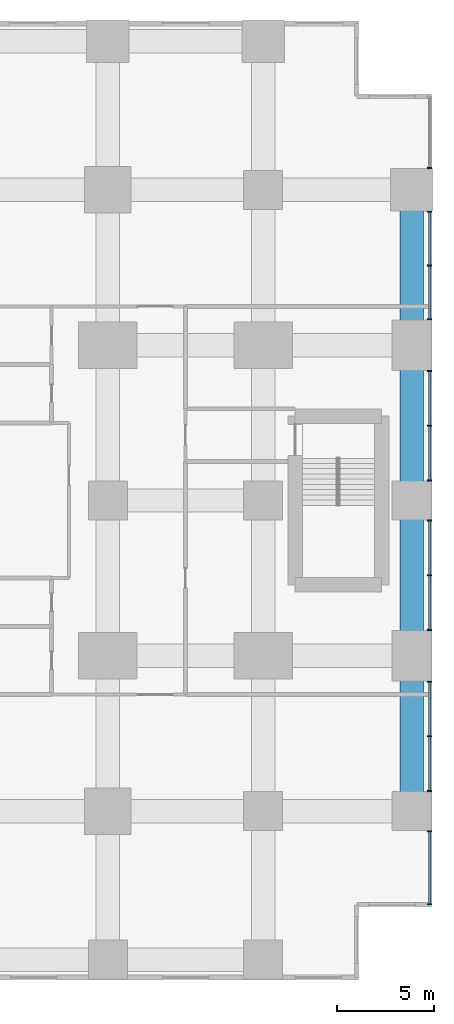
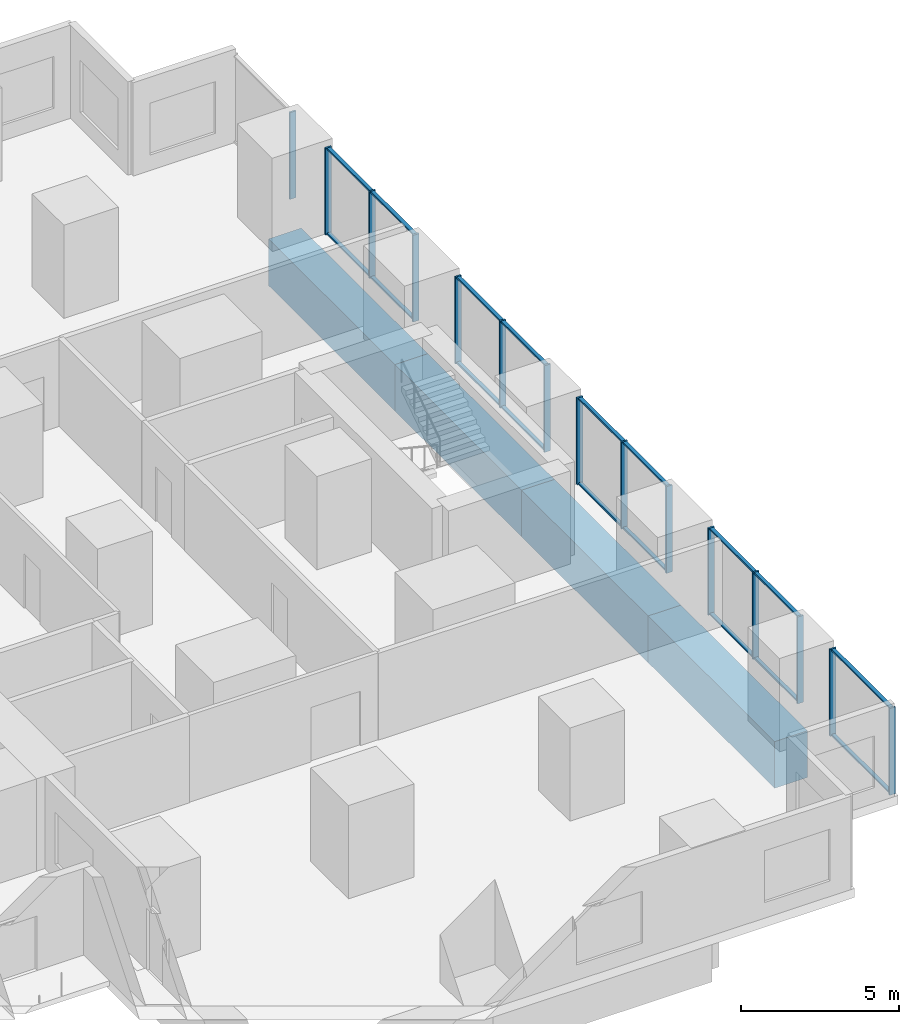
# One storey, part 7 of 15: 33 members, 4 beams, 6 elements without a shape of their own.
"""IFC4 building model written with IfcOpenShell, lengths in metres."""

from ifc_helpers import new_model, si_unit, direction, frame, origin, origin_2d, place, context, subcontext, project, spatial, rectangle, extrude, material, layer, layer_set, material_profile, profile_set, type_object, element, aggregate, save


model = new_model("IFC4")

# Units and contexts
model_context = context("Model", 3, precision=1e-05, world=origin(), true_north=direction((0.0, 1.0)))
body_context = subcontext(model_context, "Body", "Model", "MODEL_VIEW")
ifc_project = project(units=[si_unit("LENGTHUNIT", "METRE"), si_unit("AREAUNIT", "SQUARE_METRE"), si_unit("VOLUMEUNIT", "CUBIC_METRE"), si_unit("PLANEANGLEUNIT", "RADIAN"), si_unit("MASSUNIT", "GRAM", prefix="KILO")], contexts=[model_context])

# Site, building, storey
site_placement = place(None, origin())
site = spatial("IfcSite", under=ifc_project, at=site_placement, CompositionType="ELEMENT")
building_placement = place(site_placement, origin())
building = spatial("IfcBuilding", under=site, at=building_placement, Name="Cleftline Residences", CompositionType="ELEMENT")
storey_placement = place(building_placement, frame((0.0, 0.0, 26.0)))
storey = spatial("IfcBuildingStorey", under=building, at=storey_placement, Name="L05", CompositionType="ELEMENT", Elevation=26.0)

# Beams
ifc_material_1 = material(Name="Concrete B45", Category="concrete")
ifc_material_profile_1 = material_profile(ifc_material_1, rectangle(XDim=1.199951171875, YDim=1.800048828125, at=origin_2d()))
ifc_profile_set_1 = profile_set([ifc_material_profile_1], Name="Concrete B45")
beam_type = type_object("IfcBeamType", Name="BEAM RC1200X1800", PredefinedType="BEAM", material=ifc_profile_set_1)
for number, where, z_axis, x_axis, name in (
    (1, (65.64990234375, 8.0, -1.25), (0.0, 1.0, 0.0), (-1.0, 0.0, 0.0), "Podium beam"),
    (2, (65.64990234375, 16.0, -1.25), (0.0, 1.0, 0.0), (-1.0, 0.0, 0.0), "Podium beam"),
    (3, (65.64990234375, 24.0, -1.25), (0.0, 1.0, 0.0), (-1.0, 0.0, 0.0), "Podium beam"),
    (4, (65.64990234375, 32.0, -1.25), (0.0, 1.0, 0.0), (-1.0, 0.0, 0.0), "Podium beam"),
):
    element("IfcBeam", number, at=place(storey_placement, frame(where, z_axis=z_axis, x_axis=x_axis)), inside=storey, type_object=beam_type, Name=name, PredefinedType="BEAM", context=body_context, shape_type="SweptSolid", body=[
        extrude(rectangle(XDim=1.199951171875, YDim=1.800048828125, at=origin_2d()), origin(), (0.0, 0.0, 1.0), 8.0),
    ])

# Curtain wall, members
ifc_material_2 = material(Name="Aluminium framed curtain wall", Category="aluminium")
ifc_layer = layer(ifc_material_2, 0.199951171875)
ifc_layer_set = layer_set([ifc_layer], Name="CW4 SKY LOUNGE GLAZING")
curtain_wall_type = type_object("IfcCurtainWallType", Name="CW4 SKY LOUNGE GLAZING", PredefinedType="NOTDEFINED", material=ifc_layer_set)
curtain_wall_1_placement = place(storey_placement, origin())
curtain_wall_1 = element("IfcCurtainWall", 5, at=curtain_wall_1_placement, inside=storey, type_object=curtain_wall_type, Name="Curtain wall CW4", PredefinedType="NOTDEFINED")
ifc_material_3 = material(Name="Aluminium mullion", Category="aluminium")
ifc_material_profile_2 = material_profile(ifc_material_3, rectangle(XDim=0.219970703125, YDim=0.06494140625, at=origin_2d()))
ifc_profile_set_2 = profile_set([ifc_material_profile_2], Name="Aluminium mullion")
member_type_1 = type_object("IfcMemberType", Name="CW4 MULLION", PredefinedType="MULLION", material=ifc_profile_set_2)
member_1_placement = place(storey_placement, frame((66.574951171875, 3.20751953125, 0.0), z_axis=(0.0, 0.0, 1.0), x_axis=(-1.0, 0.0, 0.0)))
member_1 = element("IfcMember", 6, at=member_1_placement, type_object=member_type_1, Name="CW4 mullion 1", PredefinedType="MULLION", context=body_context, shape_type="SweptSolid", body=[
    extrude(rectangle(XDim=0.219970703125, YDim=0.06494140625, at=origin_2d()), origin(), (0.0, 0.0, 1.0), 3.35009765625),
])
member_2_placement = place(storey_placement, frame((66.574951171875, 6.967529296875, 0.0), z_axis=(0.0, 0.0, 1.0), x_axis=(-1.0, 0.0, 0.0)))
member_2 = element("IfcMember", 7, at=member_2_placement, type_object=member_type_1, Name="CW4 mullion 2", PredefinedType="MULLION", context=body_context, shape_type="SweptSolid", body=[
    extrude(rectangle(XDim=0.219970703125, YDim=0.06494140625, at=origin_2d()), origin(), (0.0, 0.0, 1.0), 3.35009765625),
])

curtain_wall_2_placement = place(storey_placement, origin())
curtain_wall_2 = element("IfcCurtainWall", 8, at=curtain_wall_2_placement, inside=storey, type_object=curtain_wall_type, Name="Curtain wall CW4", PredefinedType="NOTDEFINED")
member_3_placement = place(storey_placement, frame((66.574951171875, 9.032470703125, 0.0), z_axis=(0.0, 0.0, 1.0), x_axis=(-1.0, 0.0, 0.0)))
member_3 = element("IfcMember", 9, at=member_3_placement, type_object=member_type_1, Name="CW4 mullion 1", PredefinedType="MULLION", context=body_context, shape_type="SweptSolid", body=[
    extrude(rectangle(XDim=0.219970703125, YDim=0.06494140625, at=origin_2d()), origin(), (0.0, 0.0, 1.0), 3.35009765625),
])
member_4_placement = place(storey_placement, frame((66.574951171875, 11.85009765625, 0.0), z_axis=(0.0, 0.0, 1.0), x_axis=(-1.0, 0.0, 0.0)))
member_4 = element("IfcMember", 10, at=member_4_placement, type_object=member_type_1, Name="CW4 mullion 2", PredefinedType="MULLION", context=body_context, shape_type="SweptSolid", body=[
    extrude(rectangle(XDim=0.219970703125, YDim=0.06494140625, at=origin_2d()), origin(), (0.0, 0.0, 1.0), 3.35009765625),
])
member_5_placement = place(storey_placement, frame((66.574951171875, 14.66748046875, 0.0), z_axis=(0.0, 0.0, 1.0), x_axis=(-1.0, 0.0, 0.0)))
member_5 = element("IfcMember", 11, at=member_5_placement, type_object=member_type_1, Name="CW4 mullion 3", PredefinedType="MULLION", context=body_context, shape_type="SweptSolid", body=[
    extrude(rectangle(XDim=0.219970703125, YDim=0.06494140625, at=origin_2d()), origin(), (0.0, 0.0, 1.0), 3.35009765625),
])

curtain_wall_3_placement = place(storey_placement, origin())
curtain_wall_3 = element("IfcCurtainWall", 12, at=curtain_wall_3_placement, inside=storey, type_object=curtain_wall_type, Name="Curtain wall CW4", PredefinedType="NOTDEFINED")
member_6_placement = place(storey_placement, frame((66.574951171875, 17.33251953125, 0.0), z_axis=(0.0, 0.0, 1.0), x_axis=(-1.0, 0.0, 0.0)))
member_6 = element("IfcMember", 13, at=member_6_placement, type_object=member_type_1, Name="CW4 mullion 1", PredefinedType="MULLION", context=body_context, shape_type="SweptSolid", body=[
    extrude(rectangle(XDim=0.219970703125, YDim=0.06494140625, at=origin_2d()), origin(), (0.0, 0.0, 1.0), 3.35009765625),
])
member_7_placement = place(storey_placement, frame((66.574951171875, 20.14990234375, 0.0), z_axis=(0.0, 0.0, 1.0), x_axis=(-1.0, 0.0, 0.0)))
member_7 = element("IfcMember", 14, at=member_7_placement, type_object=member_type_1, Name="CW4 mullion 2", PredefinedType="MULLION", context=body_context, shape_type="SweptSolid", body=[
    extrude(rectangle(XDim=0.219970703125, YDim=0.06494140625, at=origin_2d()), origin(), (0.0, 0.0, 1.0), 3.35009765625),
])
member_8_placement = place(storey_placement, frame((66.574951171875, 22.967529296875, 0.0), z_axis=(0.0, 0.0, 1.0), x_axis=(-1.0, 0.0, 0.0)))
member_8 = element("IfcMember", 15, at=member_8_placement, type_object=member_type_1, Name="CW4 mullion 3", PredefinedType="MULLION", context=body_context, shape_type="SweptSolid", body=[
    extrude(rectangle(XDim=0.219970703125, YDim=0.06494140625, at=origin_2d()), origin(), (0.0, 0.0, 1.0), 3.35009765625),
])

curtain_wall_4_placement = place(storey_placement, origin())
curtain_wall_4 = element("IfcCurtainWall", 16, at=curtain_wall_4_placement, inside=storey, type_object=curtain_wall_type, Name="Curtain wall CW4", PredefinedType="NOTDEFINED")
member_9_placement = place(storey_placement, frame((66.574951171875, 25.032470703125, 0.0), z_axis=(0.0, 0.0, 1.0), x_axis=(-1.0, 0.0, 0.0)))
member_9 = element("IfcMember", 17, at=member_9_placement, type_object=member_type_1, Name="CW4 mullion 1", PredefinedType="MULLION", context=body_context, shape_type="SweptSolid", body=[
    extrude(rectangle(XDim=0.219970703125, YDim=0.06494140625, at=origin_2d()), origin(), (0.0, 0.0, 1.0), 3.35009765625),
])
member_10_placement = place(storey_placement, frame((66.574951171875, 27.85009765625, 0.0), z_axis=(0.0, 0.0, 1.0), x_axis=(-1.0, 0.0, 0.0)))
member_10 = element("IfcMember", 18, at=member_10_placement, type_object=member_type_1, Name="CW4 mullion 2", PredefinedType="MULLION", context=body_context, shape_type="SweptSolid", body=[
    extrude(rectangle(XDim=0.219970703125, YDim=0.06494140625, at=origin_2d()), origin(), (0.0, 0.0, 1.0), 3.35009765625),
])
member_11_placement = place(storey_placement, frame((66.574951171875, 30.66748046875, 0.0), z_axis=(0.0, 0.0, 1.0), x_axis=(-1.0, 0.0, 0.0)))
member_11 = element("IfcMember", 19, at=member_11_placement, type_object=member_type_1, Name="CW4 mullion 3", PredefinedType="MULLION", context=body_context, shape_type="SweptSolid", body=[
    extrude(rectangle(XDim=0.219970703125, YDim=0.06494140625, at=origin_2d()), origin(), (0.0, 0.0, 1.0), 3.35009765625),
])

curtain_wall_5_placement = place(storey_placement, origin())
curtain_wall_5 = element("IfcCurtainWall", 20, at=curtain_wall_5_placement, inside=storey, type_object=curtain_wall_type, Name="Curtain wall CW4", PredefinedType="NOTDEFINED")
member_12_placement = place(storey_placement, frame((66.574951171875, 33.33251953125, 0.0), z_axis=(0.0, 0.0, 1.0), x_axis=(-1.0, 0.0, 0.0)))
member_12 = element("IfcMember", 21, at=member_12_placement, type_object=member_type_1, Name="CW4 mullion 1", PredefinedType="MULLION", context=body_context, shape_type="SweptSolid", body=[
    extrude(rectangle(XDim=0.219970703125, YDim=0.06494140625, at=origin_2d()), origin(), (0.0, 0.0, 1.0), 3.35009765625),
])
member_13_placement = place(storey_placement, frame((66.574951171875, 36.10009765625, 0.0), z_axis=(0.0, 0.0, 1.0), x_axis=(-1.0, 0.0, 0.0)))
member_13 = element("IfcMember", 22, at=member_13_placement, type_object=member_type_1, Name="CW4 mullion 2", PredefinedType="MULLION", context=body_context, shape_type="SweptSolid", body=[
    extrude(rectangle(XDim=0.219970703125, YDim=0.06494140625, at=origin_2d()), origin(), (0.0, 0.0, 1.0), 3.35009765625),
])
member_14_placement = place(storey_placement, frame((66.574951171875, 38.867431640625, 0.0), z_axis=(0.0, 0.0, 1.0), x_axis=(-1.0, 0.0, 0.0)))
member_14 = element("IfcMember", 23, at=member_14_placement, type_object=member_type_1, Name="CW4 mullion 3", PredefinedType="MULLION", context=body_context, shape_type="SweptSolid", body=[
    extrude(rectangle(XDim=0.219970703125, YDim=0.06494140625, at=origin_2d()), origin(), (0.0, 0.0, 1.0), 3.35009765625),
])

# Curtain wall, member
curtain_wall_6_placement = place(storey_placement, origin())
curtain_wall_6 = element("IfcCurtainWall", 24, at=curtain_wall_6_placement, inside=storey, type_object=curtain_wall_type, Name="Curtain wall CW4", PredefinedType="NOTDEFINED")
member_15_placement = place(storey_placement, frame((66.574951171875, 41.132568359375, 0.0), z_axis=(0.0, 0.0, 1.0), x_axis=(-1.0, 0.0, 0.0)))
member_15 = element("IfcMember", 25, at=member_15_placement, type_object=member_type_1, Name="CW4 mullion 1", PredefinedType="MULLION", context=body_context, shape_type="SweptSolid", body=[
    extrude(rectangle(XDim=0.219970703125, YDim=0.06494140625, at=origin_2d()), origin(), (0.0, 0.0, 1.0), 3.35009765625),
])
aggregate(curtain_wall_6, [member_15])

# Member
ifc_material_4 = material(Name="Aluminium transom", Category="aluminium")
ifc_material_profile_3 = material_profile(ifc_material_4, rectangle(XDim=0.132080078125, YDim=0.06494140625, at=origin_2d()))
ifc_profile_set_3 = profile_set([ifc_material_profile_3], Name="Aluminium transom")
member_type_2 = type_object("IfcMemberType", Name="CW4 TRANSOM", PredefinedType="USERDEFINED", material=ifc_profile_set_3)
member_16_placement = place(storey_placement, frame((66.574951171875, 3.239990234375, 0.032470703125), z_axis=(0.0, 1.0, 0.0), x_axis=(-1.0, 0.0, 0.0)))
member_16 = element("IfcMember", 26, at=member_16_placement, type_object=member_type_2, Name="CW4 transom 1.1", ObjectType="TRANSOM", PredefinedType="USERDEFINED", context=body_context, shape_type="SweptSolid", body=[
    extrude(rectangle(XDim=0.132080078125, YDim=0.06494140625, at=origin_2d()), origin(), (0.0, 0.0, 1.0), 3.695068359375),
])

member_17_placement = place(storey_placement, frame((66.574951171875, 3.239990234375, 3.3173828125), z_axis=(0.0, 1.0, 0.0), x_axis=(-1.0, 0.0, 0.0)))
member_17 = element("IfcMember", 27, at=member_17_placement, type_object=member_type_2, Name="CW4 transom 1.2", ObjectType="TRANSOM", PredefinedType="USERDEFINED", context=body_context, shape_type="SweptSolid", body=[
    extrude(rectangle(XDim=0.132080078125, YDim=0.06494140625, at=origin_2d()), origin(), (0.0, 0.0, 1.0), 3.695068359375),
])

aggregate(curtain_wall_1, [member_1, member_2, member_16, member_17])

member_18_placement = place(storey_placement, frame((66.574951171875, 9.06494140625, 0.032470703125), z_axis=(0.0, 1.0, 0.0), x_axis=(-1.0, 0.0, 0.0)))
member_18 = element("IfcMember", 28, at=member_18_placement, type_object=member_type_2, Name="CW4 transom 1.1", ObjectType="TRANSOM", PredefinedType="USERDEFINED", context=body_context, shape_type="SweptSolid", body=[
    extrude(rectangle(XDim=0.132080078125, YDim=0.06494140625, at=origin_2d()), origin(), (0.0, 0.0, 1.0), 2.75244140625),
])

member_19_placement = place(storey_placement, frame((66.574951171875, 9.06494140625, 3.3173828125), z_axis=(0.0, 1.0, 0.0), x_axis=(-1.0, 0.0, 0.0)))
member_19 = element("IfcMember", 29, at=member_19_placement, type_object=member_type_2, Name="CW4 transom 1.2", ObjectType="TRANSOM", PredefinedType="USERDEFINED", context=body_context, shape_type="SweptSolid", body=[
    extrude(rectangle(XDim=0.132080078125, YDim=0.06494140625, at=origin_2d()), origin(), (0.0, 0.0, 1.0), 2.75244140625),
])

member_20_placement = place(storey_placement, frame((66.574951171875, 11.882568359375, 0.032470703125), z_axis=(0.0, 1.0, 0.0), x_axis=(-1.0, 0.0, 0.0)))
member_20 = element("IfcMember", 30, at=member_20_placement, type_object=member_type_2, Name="CW4 transom 2.1", ObjectType="TRANSOM", PredefinedType="USERDEFINED", context=body_context, shape_type="SweptSolid", body=[
    extrude(rectangle(XDim=0.132080078125, YDim=0.06494140625, at=origin_2d()), origin(), (0.0, 0.0, 1.0), 2.75244140625),
])

member_21_placement = place(storey_placement, frame((66.574951171875, 11.882568359375, 3.3173828125), z_axis=(0.0, 1.0, 0.0), x_axis=(-1.0, 0.0, 0.0)))
member_21 = element("IfcMember", 31, at=member_21_placement, type_object=member_type_2, Name="CW4 transom 2.2", ObjectType="TRANSOM", PredefinedType="USERDEFINED", context=body_context, shape_type="SweptSolid", body=[
    extrude(rectangle(XDim=0.132080078125, YDim=0.06494140625, at=origin_2d()), origin(), (0.0, 0.0, 1.0), 2.75244140625),
])

aggregate(curtain_wall_2, [member_3, member_4, member_5, member_18, member_19, member_20, member_21])

member_22_placement = place(storey_placement, frame((66.574951171875, 17.364990234375, 0.032470703125), z_axis=(0.0, 1.0, 0.0), x_axis=(-1.0, 0.0, 0.0)))
member_22 = element("IfcMember", 32, at=member_22_placement, type_object=member_type_2, Name="CW4 transom 1.1", ObjectType="TRANSOM", PredefinedType="USERDEFINED", context=body_context, shape_type="SweptSolid", body=[
    extrude(rectangle(XDim=0.132080078125, YDim=0.06494140625, at=origin_2d()), origin(), (0.0, 0.0, 1.0), 2.75244140625),
])

member_23_placement = place(storey_placement, frame((66.574951171875, 17.364990234375, 3.3173828125), z_axis=(0.0, 1.0, 0.0), x_axis=(-1.0, 0.0, 0.0)))
member_23 = element("IfcMember", 33, at=member_23_placement, type_object=member_type_2, Name="CW4 transom 1.2", ObjectType="TRANSOM", PredefinedType="USERDEFINED", context=body_context, shape_type="SweptSolid", body=[
    extrude(rectangle(XDim=0.132080078125, YDim=0.06494140625, at=origin_2d()), origin(), (0.0, 0.0, 1.0), 2.75244140625),
])

member_24_placement = place(storey_placement, frame((66.574951171875, 20.1826171875, 0.032470703125), z_axis=(0.0, 1.0, 0.0), x_axis=(-1.0, 0.0, 0.0)))
member_24 = element("IfcMember", 34, at=member_24_placement, type_object=member_type_2, Name="CW4 transom 2.1", ObjectType="TRANSOM", PredefinedType="USERDEFINED", context=body_context, shape_type="SweptSolid", body=[
    extrude(rectangle(XDim=0.132080078125, YDim=0.06494140625, at=origin_2d()), origin(), (0.0, 0.0, 1.0), 2.75244140625),
])

member_25_placement = place(storey_placement, frame((66.574951171875, 20.1826171875, 3.3173828125), z_axis=(0.0, 1.0, 0.0), x_axis=(-1.0, 0.0, 0.0)))
member_25 = element("IfcMember", 35, at=member_25_placement, type_object=member_type_2, Name="CW4 transom 2.2", ObjectType="TRANSOM", PredefinedType="USERDEFINED", context=body_context, shape_type="SweptSolid", body=[
    extrude(rectangle(XDim=0.132080078125, YDim=0.06494140625, at=origin_2d()), origin(), (0.0, 0.0, 1.0), 2.75244140625),
])

aggregate(curtain_wall_3, [member_6, member_7, member_8, member_22, member_23, member_24, member_25])

member_26_placement = place(storey_placement, frame((66.574951171875, 25.06494140625, 0.032470703125), z_axis=(0.0, 1.0, 0.0), x_axis=(-1.0, 0.0, 0.0)))
member_26 = element("IfcMember", 36, at=member_26_placement, type_object=member_type_2, Name="CW4 transom 1.1", ObjectType="TRANSOM", PredefinedType="USERDEFINED", context=body_context, shape_type="SweptSolid", body=[
    extrude(rectangle(XDim=0.132080078125, YDim=0.06494140625, at=origin_2d()), origin(), (0.0, 0.0, 1.0), 2.75244140625),
])

member_27_placement = place(storey_placement, frame((66.574951171875, 25.06494140625, 3.3173828125), z_axis=(0.0, 1.0, 0.0), x_axis=(-1.0, 0.0, 0.0)))
member_27 = element("IfcMember", 37, at=member_27_placement, type_object=member_type_2, Name="CW4 transom 1.2", ObjectType="TRANSOM", PredefinedType="USERDEFINED", context=body_context, shape_type="SweptSolid", body=[
    extrude(rectangle(XDim=0.132080078125, YDim=0.06494140625, at=origin_2d()), origin(), (0.0, 0.0, 1.0), 2.75244140625),
])

member_28_placement = place(storey_placement, frame((66.574951171875, 27.882568359375, 0.032470703125), z_axis=(0.0, 1.0, 0.0), x_axis=(-1.0, 0.0, 0.0)))
member_28 = element("IfcMember", 38, at=member_28_placement, type_object=member_type_2, Name="CW4 transom 2.1", ObjectType="TRANSOM", PredefinedType="USERDEFINED", context=body_context, shape_type="SweptSolid", body=[
    extrude(rectangle(XDim=0.132080078125, YDim=0.06494140625, at=origin_2d()), origin(), (0.0, 0.0, 1.0), 2.75244140625),
])

member_29_placement = place(storey_placement, frame((66.574951171875, 27.882568359375, 3.3173828125), z_axis=(0.0, 1.0, 0.0), x_axis=(-1.0, 0.0, 0.0)))
member_29 = element("IfcMember", 39, at=member_29_placement, type_object=member_type_2, Name="CW4 transom 2.2", ObjectType="TRANSOM", PredefinedType="USERDEFINED", context=body_context, shape_type="SweptSolid", body=[
    extrude(rectangle(XDim=0.132080078125, YDim=0.06494140625, at=origin_2d()), origin(), (0.0, 0.0, 1.0), 2.75244140625),
])

aggregate(curtain_wall_4, [member_9, member_10, member_11, member_26, member_27, member_28, member_29])

member_30_placement = place(storey_placement, frame((66.574951171875, 33.364990234375, 0.032470703125), z_axis=(0.0, 1.0, 0.0), x_axis=(-1.0, 0.0, 0.0)))
member_30 = element("IfcMember", 40, at=member_30_placement, type_object=member_type_2, Name="CW4 transom 1.1", ObjectType="TRANSOM", PredefinedType="USERDEFINED", context=body_context, shape_type="SweptSolid", body=[
    extrude(rectangle(XDim=0.132080078125, YDim=0.06494140625, at=origin_2d()), origin(), (0.0, 0.0, 1.0), 2.702392578125),
])

member_31_placement = place(storey_placement, frame((66.574951171875, 33.364990234375, 3.3173828125), z_axis=(0.0, 1.0, 0.0), x_axis=(-1.0, 0.0, 0.0)))
member_31 = element("IfcMember", 41, at=member_31_placement, type_object=member_type_2, Name="CW4 transom 1.2", ObjectType="TRANSOM", PredefinedType="USERDEFINED", context=body_context, shape_type="SweptSolid", body=[
    extrude(rectangle(XDim=0.132080078125, YDim=0.06494140625, at=origin_2d()), origin(), (0.0, 0.0, 1.0), 2.702392578125),
])

member_32_placement = place(storey_placement, frame((66.574951171875, 36.132568359375, 0.032470703125), z_axis=(0.0, 1.0, 0.0), x_axis=(-1.0, 0.0, 0.0)))
member_32 = element("IfcMember", 42, at=member_32_placement, type_object=member_type_2, Name="CW4 transom 2.1", ObjectType="TRANSOM", PredefinedType="USERDEFINED", context=body_context, shape_type="SweptSolid", body=[
    extrude(rectangle(XDim=0.132080078125, YDim=0.06494140625, at=origin_2d()), origin(), (0.0, 0.0, 1.0), 2.702392578125),
])

member_33_placement = place(storey_placement, frame((66.574951171875, 36.132568359375, 3.3173828125), z_axis=(0.0, 1.0, 0.0), x_axis=(-1.0, 0.0, 0.0)))
member_33 = element("IfcMember", 43, at=member_33_placement, type_object=member_type_2, Name="CW4 transom 2.2", ObjectType="TRANSOM", PredefinedType="USERDEFINED", context=body_context, shape_type="SweptSolid", body=[
    extrude(rectangle(XDim=0.132080078125, YDim=0.06494140625, at=origin_2d()), origin(), (0.0, 0.0, 1.0), 2.702392578125),
])

aggregate(curtain_wall_5, [member_12, member_13, member_14, member_30, member_31, member_32, member_33])

save(model, "model.ifc")
